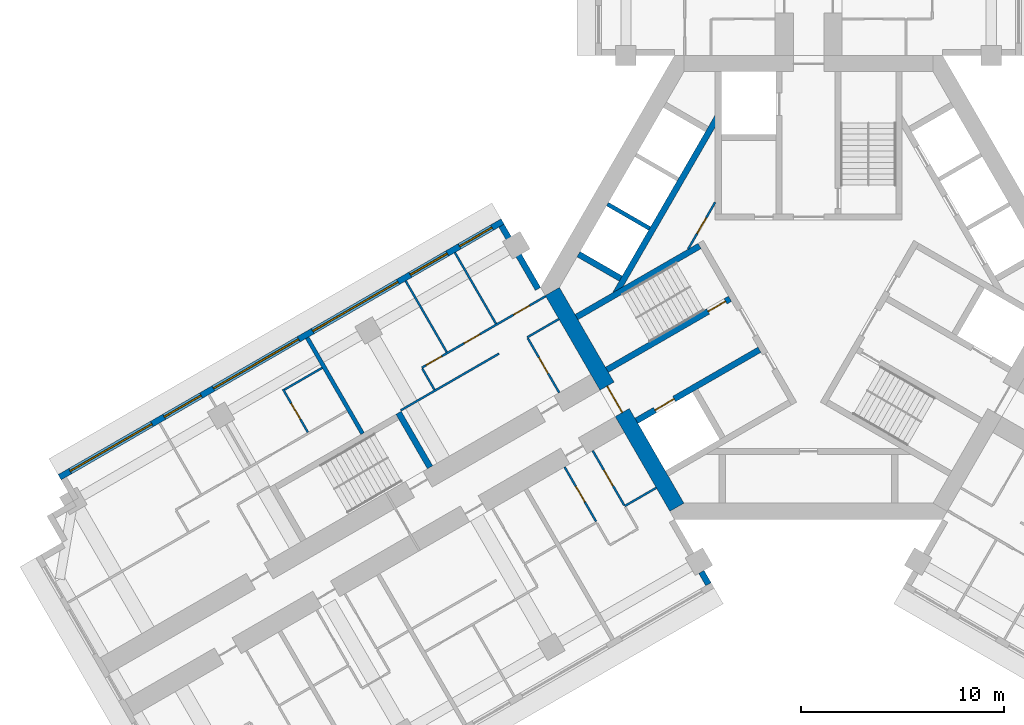
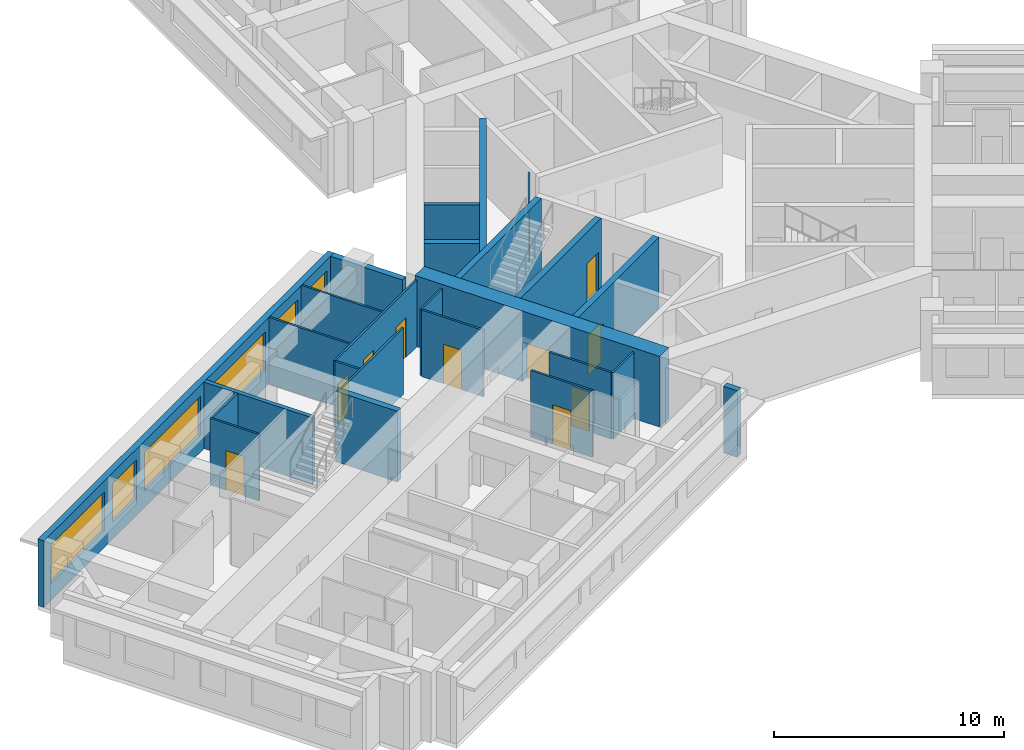
# One storey, part 4 of 12: 25 walls, 11 doors, 6 windows, 17 openings.
"""IFC4 building model written with IfcOpenShell, lengths in metres."""

from ifc_helpers import new_model, si_unit, direction, frame, frame_2d, origin, place, context, subcontext, project, spatial, rectangle, extrude, material, layer, layer_set, type_object, element, fill, save


model = new_model("IFC4")

# Units and contexts
model_context = context("Model", 3, precision=1e-05, world=origin(), true_north=direction((0.0, 1.0)))
body_context = subcontext(model_context, "Body", "Model", "MODEL_VIEW")
ifc_project = project(units=[si_unit("LENGTHUNIT", "METRE"), si_unit("AREAUNIT", "SQUARE_METRE"), si_unit("VOLUMEUNIT", "CUBIC_METRE"), si_unit("PLANEANGLEUNIT", "RADIAN"), si_unit("MASSUNIT", "GRAM", prefix="KILO")], contexts=[model_context])

# Site, building, storey
site_placement = place(None, origin())
site = spatial("IfcSite", under=ifc_project, at=site_placement, CompositionType="ELEMENT")
building_placement = place(site_placement, origin())
building = spatial("IfcBuilding", under=site, at=building_placement, Name="Impinga Residences", CompositionType="ELEMENT")
storey_placement = place(building_placement, frame((0.0, 0.0, 166.0)))
storey = spatial("IfcBuildingStorey", under=building, at=storey_placement, Name="L41", CompositionType="ELEMENT", Elevation=166.0)

# Wall, opening, door
ifc_material_1 = material(Name="Concrete blockwork", Category="masonry")
ifc_layer_1 = layer(ifc_material_1, 0.10009765625)
ifc_layer_set_1 = layer_set([ifc_layer_1], Name="CP1 core room partition, blockwork 100")
wall_type_1 = type_object("IfcWallType", Name="CP1 core room partition, blockwork 100", PredefinedType="PARTITIONING", material=ifc_layer_set_1)
wall_1_placement = place(storey_placement, frame((-5.93359375, 1.885986328125, 0.0), z_axis=(0.0, 0.0, 1.0), x_axis=(0.500018294232, 0.866014841347, 0.0)))
wall_1 = element("IfcWall", 1, at=wall_1_placement, inside=storey, type_object=wall_type_1, Name="Core room partition, blockwork L41:CORE:high:FP", PredefinedType="PARTITIONING", context=body_context, shape_type="SweptSolid", body=[
    extrude(rectangle(XDim=2.6669921875, YDim=0.10009765625, at=frame_2d((1.33349609375, 0.0))), origin(), (0.0, 0.0, 1.0), 3.530029296875),
])
opening_1_placement = place(wall_1_placement, frame((0.883544921875, 0.0, 0.0)))
opening_1 = element("IfcOpeningElement", 2, at=opening_1_placement, cuts=wall_1, Name="Opening D6", PredefinedType="OPENING", context=body_context, shape_type="SweptSolid", body=[
    extrude(rectangle(XDim=0.89990234375, YDim=2.10009765625, at=frame_2d((0.449951171875, 1.050048828125))), frame((0.0, 0.06005859375, 0.0), z_axis=(0.0, -1.0, 0.0), x_axis=(1.0, 0.0, 0.0)), (0.0, 0.0, 1.0), 0.1201171875),
])
ifc_material_2 = material(Name="Timber door set", Category="wood")
door_type_1 = type_object("IfcDoorType", Name="D6 riser and store door 900x2100", OperationType="SINGLE_SWING_LEFT", PredefinedType="DOOR", material=ifc_material_2)
door_1_placement = place(opening_1_placement, origin())
door_1 = element("IfcDoor", 3, at=door_1_placement, inside=storey, type_object=door_type_1, Name="Refuse and recycling room door", OperationType="SINGLE_SWING_LEFT", OverallHeight=2.10009765625, OverallWidth=0.89990234375, PredefinedType="DOOR", context=body_context, shape_type="SweptSolid", body=[
    extrude(rectangle(XDim=0.89990234375, YDim=2.10009765625, at=frame_2d((0.449951171875, 1.050048828125))), frame((0.0, 0.02490234375, 0.0), z_axis=(0.0, -1.0, 0.0), x_axis=(1.0, 0.0, 0.0)), (0.0, 0.0, 1.0), 0.050048828125),
])
fill(opening_1, door_1)

# Wall, openings, windows
ifc_material_3 = material(Name="Terracotta rainscreen on blockwork", Category="masonry")
ifc_layer_2 = layer(ifc_material_3, 0.300048828125)
ifc_layer_set_2 = layer_set([ifc_layer_2], Name="EW1 external wall, terracotta rainscreen on blockwork 300")
wall_type_2 = type_object("IfcWallType", Name="EW1 external wall, terracotta rainscreen on blockwork 300", PredefinedType="SOLIDWALL", material=ifc_layer_set_2)
wall_2_placement = place(storey_placement, frame((-36.89892578125, -9.352294921875, 0.0), z_axis=(0.0, 0.0, 1.0), x_axis=(0.86602925447, 0.499993330357, 0.0)))
wall_2 = element("IfcWall", 4, at=wall_2_placement, inside=storey, type_object=wall_type_2, Name="External wall EW1 L41", PredefinedType="SOLIDWALL", context=body_context, shape_type="SweptSolid", body=[
    extrude(rectangle(XDim=25.199951171875, YDim=0.300048828125, at=frame_2d((12.60009765625, 0.0))), origin(), (0.0, 0.0, 1.0), 3.530029296875),
])
opening_2_placement = place(wall_2_placement, frame((0.60009765625, 0.0, 0.89990234375)))
opening_2 = element("IfcOpeningElement", 5, at=opening_2_placement, cuts=wall_2, Name="Opening W10", PredefinedType="OPENING", context=body_context, shape_type="SweptSolid", body=[
    extrude(rectangle(XDim=4.64990234375, YDim=2.050048828125, at=frame_2d((2.324951171875, 1.02490234375))), frame((0.0, 0.159912109375, 0.0), z_axis=(0.0, -1.0, 0.0), x_axis=(1.0, 0.0, 0.0)), (0.0, 0.0, 1.0), 0.320068359375),
])
opening_3_placement = place(wall_2_placement, frame((5.949951171875, 0.0, 0.89990234375)))
opening_3 = element("IfcOpeningElement", 6, at=opening_3_placement, cuts=wall_2, Name="Opening W9", PredefinedType="OPENING", context=body_context, shape_type="SweptSolid", body=[
    extrude(rectangle(XDim=2.10009765625, YDim=2.050048828125, at=frame_2d((1.050048828125, 1.02490234375))), frame((0.0, 0.159912109375, 0.0), z_axis=(0.0, -1.0, 0.0), x_axis=(1.0, 0.0, 0.0)), (0.0, 0.0, 1.0), 0.320068359375),
])
opening_4_placement = place(wall_2_placement, frame((8.75, 0.0, 0.89990234375)))
opening_4 = element("IfcOpeningElement", 7, at=opening_4_placement, cuts=wall_2, Name="Opening W6", PredefinedType="OPENING", context=body_context, shape_type="SweptSolid", body=[
    extrude(rectangle(XDim=4.85009765625, YDim=2.050048828125, at=frame_2d((2.425048828125, 1.02490234375))), frame((0.0, 0.159912109375, 0.0), z_axis=(0.0, -1.0, 0.0), x_axis=(1.0, 0.0, 0.0)), (0.0, 0.0, 1.0), 0.320068359375),
])
opening_5_placement = place(wall_2_placement, frame((14.39990234375, 0.0, 0.89990234375)))
opening_5 = element("IfcOpeningElement", 8, at=opening_5_placement, cuts=wall_2, Name="Opening W6", PredefinedType="OPENING", context=body_context, shape_type="SweptSolid", body=[
    extrude(rectangle(XDim=4.85009765625, YDim=2.050048828125, at=frame_2d((2.425048828125, 1.02490234375))), frame((0.0, 0.159912109375, 0.0), z_axis=(0.0, -1.0, 0.0), x_axis=(1.0, 0.0, 0.0)), (0.0, 0.0, 1.0), 0.320068359375),
])
opening_6_placement = place(wall_2_placement, frame((19.949951171875, 0.0, 0.89990234375)))
opening_6 = element("IfcOpeningElement", 9, at=opening_6_placement, cuts=wall_2, Name="Opening W9", PredefinedType="OPENING", context=body_context, shape_type="SweptSolid", body=[
    extrude(rectangle(XDim=2.10009765625, YDim=2.050048828125, at=frame_2d((1.050048828125, 1.02490234375))), frame((0.0, 0.159912109375, 0.0), z_axis=(0.0, -1.0, 0.0), x_axis=(1.0, 0.0, 0.0)), (0.0, 0.0, 1.0), 0.320068359375),
])
opening_7_placement = place(wall_2_placement, frame((22.75, 0.0, 0.89990234375)))
opening_7 = element("IfcOpeningElement", 10, at=opening_7_placement, cuts=wall_2, Name="Opening W15", PredefinedType="OPENING", context=body_context, shape_type="SweptSolid", body=[
    extrude(rectangle(XDim=1.85009765625, YDim=2.050048828125, at=frame_2d((0.925048828125, 1.02490234375))), frame((0.0, 0.159912109375, 0.0), z_axis=(0.0, -1.0, 0.0), x_axis=(1.0, 0.0, 0.0)), (0.0, 0.0, 1.0), 0.320068359375),
])
ifc_material_4 = material(Name="Aluminium window, clear double glazing", Category="aluminium")
window_type_1 = type_object("IfcWindowType", Name="W10 ribbon window 4650x2050", PartitioningType="SINGLE_PANEL", PredefinedType="WINDOW", material=ifc_material_4)
window_1_placement = place(opening_2_placement, origin())
window_1 = element("IfcWindow", 11, at=window_1_placement, inside=storey, type_object=window_type_1, Name="Window L41", OverallHeight=2.050048828125, OverallWidth=4.64990234375, PartitioningType="SINGLE_PANEL", PredefinedType="WINDOW", context=body_context, shape_type="SweptSolid", body=[
    extrude(rectangle(XDim=4.64990234375, YDim=2.050048828125, at=frame_2d((2.324951171875, 1.02490234375))), frame((0.0, 0.030029296875, 0.0), z_axis=(0.0, -1.0, 0.0), x_axis=(1.0, 0.0, 0.0)), (0.0, 0.0, 1.0), 0.06005859375),
])
fill(opening_2, window_1)
window_type_2 = type_object("IfcWindowType", Name="W15 ribbon window 1850x2050", PartitioningType="SINGLE_PANEL", PredefinedType="WINDOW", material=ifc_material_4)
window_2_placement = place(opening_7_placement, origin())
window_2 = element("IfcWindow", 12, at=window_2_placement, inside=storey, type_object=window_type_2, Name="Window L41", OverallHeight=2.050048828125, OverallWidth=1.85009765625, PartitioningType="SINGLE_PANEL", PredefinedType="WINDOW", context=body_context, shape_type="SweptSolid", body=[
    extrude(rectangle(XDim=1.85009765625, YDim=2.050048828125, at=frame_2d((0.925048828125, 1.02490234375))), frame((0.0, 0.030029296875, 0.0), z_axis=(0.0, -1.0, 0.0), x_axis=(1.0, 0.0, 0.0)), (0.0, 0.0, 1.0), 0.06005859375),
])
fill(opening_7, window_2)
window_type_3 = type_object("IfcWindowType", Name="W6 ribbon window 4850x2050", PartitioningType="SINGLE_PANEL", PredefinedType="WINDOW", material=ifc_material_4)
window_3_placement = place(opening_4_placement, origin())
window_3 = element("IfcWindow", 13, at=window_3_placement, inside=storey, type_object=window_type_3, Name="Window L41", OverallHeight=2.050048828125, OverallWidth=4.85009765625, PartitioningType="SINGLE_PANEL", PredefinedType="WINDOW", context=body_context, shape_type="SweptSolid", body=[
    extrude(rectangle(XDim=4.85009765625, YDim=2.050048828125, at=frame_2d((2.425048828125, 1.02490234375))), frame((0.0, 0.030029296875, 0.0), z_axis=(0.0, -1.0, 0.0), x_axis=(1.0, 0.0, 0.0)), (0.0, 0.0, 1.0), 0.06005859375),
])
fill(opening_4, window_3)
window_4_placement = place(opening_5_placement, origin())
window_4 = element("IfcWindow", 14, at=window_4_placement, inside=storey, type_object=window_type_3, Name="Window L41", OverallHeight=2.050048828125, OverallWidth=4.85009765625, PartitioningType="SINGLE_PANEL", PredefinedType="WINDOW", context=body_context, shape_type="SweptSolid", body=[
    extrude(rectangle(XDim=4.85009765625, YDim=2.050048828125, at=frame_2d((2.425048828125, 1.02490234375))), frame((0.0, 0.030029296875, 0.0), z_axis=(0.0, -1.0, 0.0), x_axis=(1.0, 0.0, 0.0)), (0.0, 0.0, 1.0), 0.06005859375),
])
fill(opening_5, window_4)
window_type_4 = type_object("IfcWindowType", Name="W9 ribbon window 2100x2050", PartitioningType="SINGLE_PANEL", PredefinedType="WINDOW", material=ifc_material_4)
window_5_placement = place(opening_3_placement, origin())
window_5 = element("IfcWindow", 15, at=window_5_placement, inside=storey, type_object=window_type_4, Name="Window L41", OverallHeight=2.050048828125, OverallWidth=2.10009765625, PartitioningType="SINGLE_PANEL", PredefinedType="WINDOW", context=body_context, shape_type="SweptSolid", body=[
    extrude(rectangle(XDim=2.10009765625, YDim=2.050048828125, at=frame_2d((1.050048828125, 1.02490234375))), frame((0.0, 0.030029296875, 0.0), z_axis=(0.0, -1.0, 0.0), x_axis=(1.0, 0.0, 0.0)), (0.0, 0.0, 1.0), 0.06005859375),
])
fill(opening_3, window_5)
window_6_placement = place(opening_6_placement, origin())
window_6 = element("IfcWindow", 16, at=window_6_placement, inside=storey, type_object=window_type_4, Name="Window L41", OverallHeight=2.050048828125, OverallWidth=2.10009765625, PartitioningType="SINGLE_PANEL", PredefinedType="WINDOW", context=body_context, shape_type="SweptSolid", body=[
    extrude(rectangle(XDim=2.10009765625, YDim=2.050048828125, at=frame_2d((1.050048828125, 1.02490234375))), frame((0.0, 0.030029296875, 0.0), z_axis=(0.0, -1.0, 0.0), x_axis=(1.0, 0.0, 0.0)), (0.0, 0.0, 1.0), 0.06005859375),
])
fill(opening_6, window_6)

# Walls
wall_3_placement = place(storey_placement, frame((-15.1298828125, 3.042724609375, 0.0), z_axis=(0.0, 0.0, 1.0), x_axis=(0.500012057535, -0.866018442252, 0.0)))
element("IfcWall", 17, at=wall_3_placement, inside=storey, type_object=wall_type_2, Name="External wall EW1 L41", PredefinedType="SOLIDWALL", context=body_context, shape_type="SweptSolid", body=[
    extrude(rectangle(XDim=3.60009765625, YDim=0.300048828125, at=frame_2d((1.800048828125, 0.0))), origin(), (0.0, 0.0, 1.0), 3.530029296875),
])
wall_4_placement = place(storey_placement, frame((-5.27978515625, -14.01806640625, 0.0), z_axis=(0.0, 0.0, 1.0), x_axis=(0.499853302173, -0.866110083249, 0.0)))
element("IfcWall", 18, at=wall_4_placement, inside=storey, type_object=wall_type_2, Name="External wall EW1 L41", PredefinedType="SOLIDWALL", context=body_context, shape_type="SweptSolid", body=[
    extrude(rectangle(XDim=0.699951171875, YDim=0.300048828125, at=frame_2d((0.35009765625, 0.0))), origin(), (0.0, 0.0, 1.0), 3.530029296875),
])
ifc_material_5 = material(Name="Gypsum board on steel studs", Category="steel")
ifc_layer_3 = layer(ifc_material_5, 0.10009765625)
ifc_layer_set_3 = layer_set([ifc_layer_3], Name="Gypsum board on steel studs")
wall_type_3 = type_object("IfcWallType", Name="IP1 partition 100", PredefinedType="PARTITIONING", material=ifc_layer_set_3)
wall_5_placement = place(storey_placement, frame((-7.5, -9.872802734375, 0.0), z_axis=(0.0, 0.0, 1.0), x_axis=(-0.866047807691, -0.499961193289, 0.0)))
element("IfcWall", 19, at=wall_5_placement, inside=storey, type_object=wall_type_3, Name="Partition L41-WA1:DIV0", PredefinedType="PARTITIONING", context=body_context, shape_type="SweptSolid", body=[
    extrude(rectangle(XDim=1.800048828125, YDim=0.10009765625, at=frame_2d((0.89990234375, 0.0))), origin(), (0.0, 0.0, 1.0), 3.530029296875),
])

# Wall, opening, door
wall_6_placement = place(storey_placement, frame((-10.6337890625, -8.044677734375, 0.0), z_axis=(0.0, 0.0, 1.0), x_axis=(0.49999285859, -0.86602952684, 0.0)))
wall_6 = element("IfcWall", 20, at=wall_6_placement, inside=storey, type_object=wall_type_3, Name="Partition L41-WA1:IB1", PredefinedType="PARTITIONING", context=body_context, shape_type="SweptSolid", body=[
    extrude(rectangle(XDim=3.10009765625, YDim=0.10009765625, at=frame_2d((1.550048828125, 0.0))), origin(), (0.0, 0.0, 1.0), 3.530029296875),
])
opening_8_placement = place(wall_6_placement, frame((1.10009765625, 0.0, 0.0)))
opening_8 = element("IfcOpeningElement", 21, at=opening_8_placement, cuts=wall_6, Name="Opening D2", PredefinedType="OPENING", context=body_context, shape_type="SweptSolid", body=[
    extrude(rectangle(XDim=0.89990234375, YDim=2.10009765625, at=frame_2d((0.449951171875, 1.050048828125))), frame((0.0, 0.06005859375, 0.0), z_axis=(0.0, -1.0, 0.0), x_axis=(1.0, 0.0, 0.0)), (0.0, 0.0, 1.0), 0.1201171875),
])
door_type_2 = type_object("IfcDoorType", Name="D2 internal door 900x2100", OperationType="SINGLE_SWING_LEFT", PredefinedType="DOOR", material=ifc_material_2)
door_2_placement = place(opening_8_placement, origin())
door_2 = element("IfcDoor", 22, at=door_2_placement, inside=storey, type_object=door_type_2, Name="Apartment L41-WA1 bathroom door", OperationType="SINGLE_SWING_LEFT", OverallHeight=2.10009765625, OverallWidth=0.89990234375, PredefinedType="DOOR", context=body_context, shape_type="SweptSolid", body=[
    extrude(rectangle(XDim=0.89990234375, YDim=2.10009765625, at=frame_2d((0.449951171875, 1.050048828125))), frame((0.0, 0.02490234375, 0.0), z_axis=(0.0, -1.0, 0.0), x_axis=(1.0, 0.0, 0.0)), (0.0, 0.0, 1.0), 0.050048828125),
])
fill(opening_8, door_2)

wall_7_placement = place(storey_placement, frame((-12.01953125, -8.8447265625, 0.0), z_axis=(0.0, 0.0, 1.0), x_axis=(0.500026960575, -0.86600983753, 0.0)))
wall_7 = element("IfcWall", 23, at=wall_7_placement, inside=storey, type_object=wall_type_3, Name="Partition L41-WA1:IB2", PredefinedType="PARTITIONING", context=body_context, shape_type="SweptSolid", body=[
    extrude(rectangle(XDim=3.099853515625, YDim=0.10009765625, at=frame_2d((1.5498046875, 0.0))), origin(), (0.0, 0.0, 1.0), 3.530029296875),
])
opening_9_placement = place(wall_7_placement, frame((1.10009765625, 0.0, 0.0)))
opening_9 = element("IfcOpeningElement", 24, at=opening_9_placement, cuts=wall_7, Name="Opening D2", PredefinedType="OPENING", context=body_context, shape_type="SweptSolid", body=[
    extrude(rectangle(XDim=0.89990234375, YDim=2.10009765625, at=frame_2d((0.449951171875, 1.050048828125))), frame((0.0, 0.06005859375, 0.0), z_axis=(0.0, -1.0, 0.0), x_axis=(1.0, 0.0, 0.0)), (0.0, 0.0, 1.0), 0.1201171875),
])
door_3_placement = place(opening_9_placement, origin())
door_3 = element("IfcDoor", 25, at=door_3_placement, inside=storey, type_object=door_type_2, Name="Apartment L41-WA1 WC door", OperationType="SINGLE_SWING_LEFT", OverallHeight=2.10009765625, OverallWidth=0.89990234375, PredefinedType="DOOR", context=body_context, shape_type="SweptSolid", body=[
    extrude(rectangle(XDim=0.89990234375, YDim=2.10009765625, at=frame_2d((0.449951171875, 1.050048828125))), frame((0.0, 0.02490234375, 0.0), z_axis=(0.0, -1.0, 0.0), x_axis=(1.0, 0.0, 0.0)), (0.0, 0.0, 1.0), 0.050048828125),
])
fill(opening_9, door_3)

# Walls
wall_8_placement = place(storey_placement, frame((-12.300048828125, -1.558837890625, 0.0), z_axis=(0.0, 0.0, 1.0), x_axis=(-0.866047807691, -0.499961193289, 0.0)))
element("IfcWall", 26, at=wall_8_placement, inside=storey, type_object=wall_type_3, Name="Partition L41-WF1:DIV0", PredefinedType="PARTITIONING", context=body_context, shape_type="SweptSolid", body=[
    extrude(rectangle(XDim=1.800048828125, YDim=0.10009765625, at=frame_2d((0.89990234375, 0.0))), origin(), (0.0, 0.0, 1.0), 3.530029296875),
])
wall_9_placement = place(storey_placement, frame((-15.244384765625, -3.2587890625, 0.0), z_axis=(0.0, 0.0, 1.0), x_axis=(-0.866026594901, -0.49999793692, 0.0)))
element("IfcWall", 27, at=wall_9_placement, inside=storey, type_object=wall_type_3, Name="Partition L41-WF1:DIV1", PredefinedType="PARTITIONING", context=body_context, shape_type="SweptSolid", body=[
    extrude(rectangle(XDim=5.60009765625, YDim=0.10009765625, at=frame_2d((2.800048828125, 0.0))), origin(), (0.0, 0.0, 1.0), 3.530029296875),
])

# Wall, openings, doors
wall_10_placement = place(storey_placement, frame((-12.949951171875, -0.43310546875, 0.0), z_axis=(0.0, 0.0, 1.0), x_axis=(-0.866031034943, -0.499990246421, 0.0)))
wall_10 = element("IfcWall", 28, at=wall_10_placement, inside=storey, type_object=wall_type_3, Name="Partition L41-WF1:STRIP", PredefinedType="PARTITIONING", context=body_context, shape_type="SweptSolid", body=[
    extrude(rectangle(XDim=7.050048828125, YDim=0.10009765625, at=frame_2d((3.52490234375, 0.0))), origin(), (0.0, 0.0, 1.0), 3.530029296875),
])
opening_10_placement = place(wall_10_placement, frame((0.925048828125, 0.0, 0.0)))
opening_10 = element("IfcOpeningElement", 29, at=opening_10_placement, cuts=wall_10, Name="Opening D2", PredefinedType="OPENING", context=body_context, shape_type="SweptSolid", body=[
    extrude(rectangle(XDim=0.89990234375, YDim=2.10009765625, at=frame_2d((0.449951171875, 1.050048828125))), frame((0.0, 0.06005859375, 0.0), z_axis=(0.0, -1.0, 0.0), x_axis=(1.0, 0.0, 0.0)), (0.0, 0.0, 1.0), 0.1201171875),
])
opening_11_placement = place(wall_10_placement, frame((3.75, 0.0, 0.0)))
opening_11 = element("IfcOpeningElement", 30, at=opening_11_placement, cuts=wall_10, Name="Opening D2", PredefinedType="OPENING", context=body_context, shape_type="SweptSolid", body=[
    extrude(rectangle(XDim=0.89990234375, YDim=2.10009765625, at=frame_2d((0.449951171875, 1.050048828125))), frame((0.0, 0.06005859375, 0.0), z_axis=(0.0, -1.0, 0.0), x_axis=(1.0, 0.0, 0.0)), (0.0, 0.0, 1.0), 0.1201171875),
])
opening_12_placement = place(wall_10_placement, frame((5.89990234375, 0.0, 0.0)))
opening_12 = element("IfcOpeningElement", 31, at=opening_12_placement, cuts=wall_10, Name="Opening D2", PredefinedType="OPENING", context=body_context, shape_type="SweptSolid", body=[
    extrude(rectangle(XDim=0.89990234375, YDim=2.10009765625, at=frame_2d((0.449951171875, 1.050048828125))), frame((0.0, 0.06005859375, 0.0), z_axis=(0.0, -1.0, 0.0), x_axis=(1.0, 0.0, 0.0)), (0.0, 0.0, 1.0), 0.1201171875),
])
door_4_placement = place(opening_10_placement, origin())
door_4 = element("IfcDoor", 32, at=door_4_placement, inside=storey, type_object=door_type_2, Name="Apartment L41-WF1 room door", OperationType="SINGLE_SWING_LEFT", OverallHeight=2.10009765625, OverallWidth=0.89990234375, PredefinedType="DOOR", context=body_context, shape_type="SweptSolid", body=[
    extrude(rectangle(XDim=0.89990234375, YDim=2.10009765625, at=frame_2d((0.449951171875, 1.050048828125))), frame((0.0, 0.02490234375, 0.0), z_axis=(0.0, -1.0, 0.0), x_axis=(1.0, 0.0, 0.0)), (0.0, 0.0, 1.0), 0.050048828125),
])
fill(opening_10, door_4)
door_5_placement = place(opening_11_placement, origin())
door_5 = element("IfcDoor", 33, at=door_5_placement, inside=storey, type_object=door_type_2, Name="Apartment L41-WF1 room door", OperationType="SINGLE_SWING_RIGHT", OverallHeight=2.10009765625, OverallWidth=0.89990234375, PredefinedType="DOOR", context=body_context, shape_type="SweptSolid", body=[
    extrude(rectangle(XDim=0.89990234375, YDim=2.10009765625, at=frame_2d((0.449951171875, 1.050048828125))), frame((0.0, 0.02490234375, 0.0), z_axis=(0.0, -1.0, 0.0), x_axis=(1.0, 0.0, 0.0)), (0.0, 0.0, 1.0), 0.050048828125),
])
fill(opening_11, door_5)
door_6_placement = place(opening_12_placement, origin())
door_6 = element("IfcDoor", 34, at=door_6_placement, inside=storey, type_object=door_type_2, Name="Apartment L41-WF1 room door", OperationType="SINGLE_SWING_RIGHT", OverallHeight=2.10009765625, OverallWidth=0.89990234375, PredefinedType="DOOR", context=body_context, shape_type="SweptSolid", body=[
    extrude(rectangle(XDim=0.89990234375, YDim=2.10009765625, at=frame_2d((0.449951171875, 1.050048828125))), frame((0.0, 0.02490234375, 0.0), z_axis=(0.0, -1.0, 0.0), x_axis=(1.0, 0.0, 0.0)), (0.0, 0.0, 1.0), 0.050048828125),
])
fill(opening_12, door_6)

# Wall
wall_11_placement = place(storey_placement, frame((-18.430419921875, -5.04052734375, 0.0), z_axis=(0.0, 0.0, 1.0), x_axis=(-0.500033551112, 0.866006032174, 0.0)))
element("IfcWall", 35, at=wall_11_placement, inside=storey, type_object=wall_type_3, Name="Partition L41-WF1:SE1", PredefinedType="PARTITIONING", context=body_context, shape_type="SweptSolid", body=[
    extrude(rectangle(XDim=1.2001953125, YDim=0.10009765625, at=frame_2d((0.60009765625, 0.0))), origin(), (0.0, 0.0, 1.0), 3.530029296875),
])

# Wall, opening, door
wall_12_placement = place(storey_placement, frame((-12.283935546875, -5.186767578125, 0.0), z_axis=(0.0, 0.0, 1.0), x_axis=(-0.499967891604, 0.866043940782, 0.0)))
wall_12 = element("IfcWall", 36, at=wall_12_placement, inside=storey, type_object=wall_type_3, Name="Partition L41-WF1:IB1", PredefinedType="PARTITIONING", context=body_context, shape_type="SweptSolid", body=[
    extrude(rectangle(XDim=3.099853515625, YDim=0.10009765625, at=frame_2d((1.5498046875, 0.0))), origin(), (0.0, 0.0, 1.0), 3.530029296875),
])
opening_13_placement = place(wall_12_placement, frame((1.10009765625, 0.0, 0.0)))
opening_13 = element("IfcOpeningElement", 37, at=opening_13_placement, cuts=wall_12, Name="Opening D2", PredefinedType="OPENING", context=body_context, shape_type="SweptSolid", body=[
    extrude(rectangle(XDim=0.89990234375, YDim=2.10009765625, at=frame_2d((0.449951171875, 1.050048828125))), frame((0.0, 0.06005859375, 0.0), z_axis=(0.0, -1.0, 0.0), x_axis=(1.0, 0.0, 0.0)), (0.0, 0.0, 1.0), 0.1201171875),
])
door_7_placement = place(opening_13_placement, origin())
door_7 = element("IfcDoor", 38, at=door_7_placement, inside=storey, type_object=door_type_2, Name="Apartment L41-WF1 bathroom door", OperationType="SINGLE_SWING_LEFT", OverallHeight=2.10009765625, OverallWidth=0.89990234375, PredefinedType="DOOR", context=body_context, shape_type="SweptSolid", body=[
    extrude(rectangle(XDim=0.89990234375, YDim=2.10009765625, at=frame_2d((0.449951171875, 1.050048828125))), frame((0.0, 0.02490234375, 0.0), z_axis=(0.0, -1.0, 0.0), x_axis=(1.0, 0.0, 0.0)), (0.0, 0.0, 1.0), 0.050048828125),
])
fill(opening_13, door_7)

# Walls
for number, where, z_axis, x_axis, name in (
    (39, (-15.39990234375, -1.789794921875, 0.0), (0.0, 0.0, 1.0), (-0.499964223975, 0.866046058097, 0.0), "Partition L41-WF1:OB1"),
    (40, (-17.82470703125, -3.189697265625, 0.0), (0.0, 0.0, 1.0), (-0.500035537042, 0.866004885491, 0.0), "Partition L41-WF1:OB2"),
):
    element("IfcWall", number, at=place(storey_placement, frame(where, z_axis=z_axis, x_axis=x_axis)), inside=storey, type_object=wall_type_3, Name=name, PredefinedType="PARTITIONING", context=body_context, shape_type="SweptSolid", body=[
        extrude(rectangle(XDim=4.050048828125, YDim=0.10009765625, at=frame_2d((2.02490234375, 0.0))), origin(), (0.0, 0.0, 1.0), 3.530029296875),
    ])

# Wall, opening, door
wall_13_placement = place(storey_placement, frame((-24.666259765625, -7.1396484375, 0.0), z_axis=(0.0, 0.0, 1.0), x_axis=(-0.500061746146, 0.865989751695, 0.0)))
wall_13 = element("IfcWall", 41, at=wall_13_placement, inside=storey, type_object=wall_type_3, Name="Partition L41-WF2:EN1", PredefinedType="PARTITIONING", context=body_context, shape_type="SweptSolid", body=[
    extrude(rectangle(XDim=2.449951171875, YDim=0.10009765625, at=frame_2d((1.22509765625, 0.0))), origin(), (0.0, 0.0, 1.0), 3.530029296875),
])
opening_14_placement = place(wall_13_placement, frame((0.75, 0.0, 0.0)))
opening_14 = element("IfcOpeningElement", 42, at=opening_14_placement, cuts=wall_13, Name="Opening D2", PredefinedType="OPENING", context=body_context, shape_type="SweptSolid", body=[
    extrude(rectangle(XDim=0.89990234375, YDim=2.10009765625, at=frame_2d((0.449951171875, 1.050048828125))), frame((0.0, 0.06005859375, 0.0), z_axis=(0.0, -1.0, 0.0), x_axis=(1.0, 0.0, 0.0)), (0.0, 0.0, 1.0), 0.1201171875),
])
door_8_placement = place(opening_14_placement, origin())
door_8 = element("IfcDoor", 43, at=door_8_placement, inside=storey, type_object=door_type_2, Name="Apartment L41-WF2 en-suite door", OperationType="SINGLE_SWING_LEFT", OverallHeight=2.10009765625, OverallWidth=0.89990234375, PredefinedType="DOOR", context=body_context, shape_type="SweptSolid", body=[
    extrude(rectangle(XDim=0.89990234375, YDim=2.10009765625, at=frame_2d((0.449951171875, 1.050048828125))), frame((0.0, 0.02490234375, 0.0), z_axis=(0.0, -1.0, 0.0), x_axis=(1.0, 0.0, 0.0)), (0.0, 0.0, 1.0), 0.050048828125),
])
fill(opening_14, door_8)

# Walls
wall_14_placement = place(storey_placement, frame((-23.961181640625, -3.961181640625, 0.0), z_axis=(0.0, 0.0, 1.0), x_axis=(-0.866019166195, -0.500010803666, 0.0)))
element("IfcWall", 44, at=wall_14_placement, inside=storey, type_object=wall_type_3, Name="Partition L41-WF2:EN2", PredefinedType="PARTITIONING", context=body_context, shape_type="SweptSolid", body=[
    extrude(rectangle(XDim=2.14990234375, YDim=0.10009765625, at=frame_2d((1.074951171875, 0.0))), origin(), (0.0, 0.0, 1.0), 3.530029296875),
])
ifc_layer_4 = layer(ifc_material_1, 0.199951171875)
ifc_layer_set_4 = layer_set([ifc_layer_4], Name="PW1 party wall between apartments 200")
wall_type_4 = type_object("IfcWallType", Name="PW1 party wall between apartments 200", PredefinedType="SOLIDWALL", material=ifc_layer_set_4)
wall_15_placement = place(storey_placement, frame((-21.974365234375, -7.2021484375, 0.0), z_axis=(0.0, 0.0, 1.0), x_axis=(-0.500022328685, 0.866012511928, 0.0)))
element("IfcWall", 45, at=wall_15_placement, inside=storey, type_object=wall_type_4, Name="Party wall between apartments L41-WF1:PARTY", PredefinedType="SOLIDWALL", context=body_context, shape_type="SweptSolid", body=[
    extrude(rectangle(XDim=5.449951171875, YDim=0.199951171875, at=frame_2d((2.72509765625, 0.0))), origin(), (0.0, 0.0, 1.0), 3.530029296875),
])
ifc_material_6 = material(Name="Concrete C60/75", Category="concrete")
ifc_layer_5 = layer(ifc_material_6, 0.300048828125)
ifc_layer_set_5 = layer_set([ifc_layer_5], Name="Concrete C60/75")
wall_type_5 = type_object("IfcWallType", Name="SE1 wing stair enclosure wall 300", PredefinedType="SOLIDWALL", material=ifc_layer_set_5)
wall_16_placement = place(storey_placement, frame((-18.649169921875, -8.86181640625, 0.0), z_axis=(0.0, 0.0, 1.0), x_axis=(-0.500026960575, 0.86600983753, 0.0)))
element("IfcWall", 46, at=wall_16_placement, inside=storey, type_object=wall_type_5, Name="Stair enclosure wall SE1 W END0 L41", PredefinedType="SOLIDWALL", context=body_context, shape_type="SweptSolid", body=[
    extrude(rectangle(XDim=3.099853515625, YDim=0.300048828125, at=frame_2d((1.5498046875, 0.0))), origin(), (0.0, 0.0, 1.0), 3.75),
])

# Wall, opening, door
ifc_layer_6 = layer(ifc_material_6, 0.800048828125)
ifc_layer_set_6 = layer_set([ifc_layer_6], Name="Concrete C60/75")
wall_type_6 = type_object("IfcWallType", Name="SW2 core wall 800", PredefinedType="SHEAR", material=ifc_layer_set_6)
wall_17_placement = place(storey_placement, frame((-6.484619140625, -10.83154296875, 0.0), z_axis=(0.0, 0.0, 1.0), x_axis=(-0.499986991068, 0.866032914365, 0.0)))
wall_17 = element("IfcWall", 47, at=wall_17_placement, inside=storey, type_object=wall_type_6, Name="Core wall SW2 W:FACE L41", PredefinedType="SHEAR", context=body_context, shape_type="SweptSolid", body=[
    extrude(rectangle(XDim=12.276123046875, YDim=0.800048828125, at=frame_2d((6.13818359375, 0.0))), origin(), (0.0, 0.0, 1.0), 3.75),
])
opening_15_placement = place(wall_17_placement, frame((5.38818359375, 0.0, 0.0)))
opening_15 = element("IfcOpeningElement", 48, at=opening_15_placement, cuts=wall_17, Name="Opening D4", PredefinedType="OPENING", context=body_context, shape_type="SweptSolid", body=[
    extrude(rectangle(XDim=1.5, YDim=2.10009765625, at=frame_2d((0.75, 1.050048828125))), frame((0.0, 0.409912109375, 0.0), z_axis=(0.0, -1.0, 0.0), x_axis=(1.0, 0.0, 0.0)), (0.0, 0.0, 1.0), 0.820068359375),
])
door_type_3 = type_object("IfcDoorType", Name="D4 lobby door pair 1500x2100", OperationType="DOUBLE_DOOR_DOUBLE_SWING", PredefinedType="DOOR", material=ifc_material_2)
door_9_placement = place(opening_15_placement, origin())
door_9 = element("IfcDoor", 49, at=door_9_placement, inside=storey, type_object=door_type_3, Name="Lobby door W", OperationType="DOUBLE_DOOR_DOUBLE_SWING", OverallHeight=2.10009765625, OverallWidth=1.5, PredefinedType="DOOR", context=body_context, shape_type="SweptSolid", body=[
    extrude(rectangle(XDim=1.5, YDim=2.10009765625, at=frame_2d((0.75, 1.050048828125))), frame((0.0, 0.02490234375, 0.0), z_axis=(0.0, -1.0, 0.0), x_axis=(1.0, 0.0, 0.0)), (0.0, 0.0, 1.0), 0.050048828125),
])
fill(opening_15, door_9)

ifc_material_7 = material(Name="Concrete C70/85", Category="concrete")
ifc_layer_7 = layer(ifc_material_7, 0.300048828125)
ifc_layer_set_7 = layer_set([ifc_layer_7], Name="Concrete C70/85")
wall_type_7 = type_object("IfcWallType", Name="SW5 core inner wall, stairs, shafts and lobbies 300", PredefinedType="SHEAR", material=ifc_layer_set_7)
wall_18_placement = place(storey_placement, frame((-3.86865234375, -0.559326171875, 0.0), z_axis=(0.0, 0.0, 1.0), x_axis=(-0.866026480128, -0.499998135713, 0.0)))
wall_18 = element("IfcWall", 50, at=wall_18_placement, inside=storey, type_object=wall_type_7, Name="Core wall SW5 W:ST-IN L41", PredefinedType="SHEAR", context=body_context, shape_type="SweptSolid", body=[
    extrude(rectangle(XDim=7.00146484375, YDim=0.300048828125, at=frame_2d((3.500732421875, 0.0))), origin(), (0.0, 0.0, 1.0), 3.75),
])
opening_16_placement = place(wall_18_placement, frame((0.25, 0.0, 0.0)))
opening_16 = element("IfcOpeningElement", 51, at=opening_16_placement, cuts=wall_18, Name="Opening D5", PredefinedType="OPENING", context=body_context, shape_type="SweptSolid", body=[
    extrude(rectangle(XDim=1.0, YDim=2.10009765625, at=frame_2d((0.5, 1.050048828125))), frame((0.0, 0.159912109375, 0.0), z_axis=(0.0, -1.0, 0.0), x_axis=(1.0, 0.0, 0.0)), (0.0, 0.0, 1.0), 0.320068359375),
])
door_type_4 = type_object("IfcDoorType", Name="D5 stair door 1000x2100", OperationType="SINGLE_SWING_LEFT", PredefinedType="DOOR", material=ifc_material_2)
door_10_placement = place(opening_16_placement, origin())
door_10 = element("IfcDoor", 52, at=door_10_placement, inside=storey, type_object=door_type_4, Name="Stair door W", OperationType="SINGLE_SWING_LEFT", OverallHeight=2.10009765625, OverallWidth=1.0, PredefinedType="DOOR", context=body_context, shape_type="SweptSolid", body=[
    extrude(rectangle(XDim=1.0, YDim=2.10009765625, at=frame_2d((0.5, 1.050048828125))), frame((0.0, 0.02490234375, 0.0), z_axis=(0.0, -1.0, 0.0), x_axis=(1.0, 0.0, 0.0)), (0.0, 0.0, 1.0), 0.050048828125),
])
fill(opening_16, door_10)

# Wall
wall_19_placement = place(storey_placement, frame((-5.36865234375, 2.038818359375, 0.0), z_axis=(0.0, 0.0, 1.0), x_axis=(-0.866026480128, -0.499998135713, 0.0)))
element("IfcWall", 53, at=wall_19_placement, inside=storey, type_object=wall_type_7, Name="Core wall SW5 W:ST-OUT L41", PredefinedType="SHEAR", context=body_context, shape_type="SweptSolid", body=[
    extrude(rectangle(XDim=7.00146484375, YDim=0.300048828125, at=frame_2d((3.500732421875, 0.0))), origin(), (0.0, 0.0, 1.0), 3.75),
])

# Wall, opening, door
wall_20_placement = place(storey_placement, frame((-2.418701171875, -3.07080078125, 0.0), z_axis=(0.0, 0.0, 1.0), x_axis=(-0.866026480128, -0.499998135713, 0.0)))
wall_20 = element("IfcWall", 54, at=wall_20_placement, inside=storey, type_object=wall_type_7, Name="Core wall SW5 W:FF-IN L41", PredefinedType="SHEAR", context=body_context, shape_type="SweptSolid", body=[
    extrude(rectangle(XDim=7.00146484375, YDim=0.300048828125, at=frame_2d((3.500732421875, 0.0))), origin(), (0.0, 0.0, 1.0), 3.75),
])
opening_17_placement = place(wall_20_placement, frame((4.85009765625, 0.0, 0.0)))
opening_17 = element("IfcOpeningElement", 55, at=opening_17_placement, cuts=wall_20, Name="Opening LD2", PredefinedType="OPENING", context=body_context, shape_type="SweptSolid", body=[
    extrude(rectangle(XDim=1.10009765625, YDim=2.10009765625, at=frame_2d((0.550048828125, 1.050048828125))), frame((0.0, 0.159912109375, 0.0), z_axis=(0.0, -1.0, 0.0), x_axis=(1.0, 0.0, 0.0)), (0.0, 0.0, 1.0), 0.320068359375),
])
ifc_material_8 = material(Name="Steel lift landing door", Category="steel")
door_type_5 = type_object("IfcDoorType", Name="LD2 firefighting lift landing door 1100x2100", OperationType="DOUBLE_DOOR_SLIDING", PredefinedType="DOOR", material=ifc_material_8)
door_11_placement = place(opening_17_placement, origin())
door_11 = element("IfcDoor", 56, at=door_11_placement, inside=storey, type_object=door_type_5, Name="Firefighting lift landing door F2", OperationType="DOUBLE_DOOR_SLIDING", OverallHeight=2.10009765625, OverallWidth=1.10009765625, PredefinedType="DOOR", context=body_context, shape_type="SweptSolid", body=[
    extrude(rectangle(XDim=1.10009765625, YDim=2.10009765625, at=frame_2d((0.550048828125, 1.050048828125))), frame((0.0, 0.02490234375, 0.0), z_axis=(0.0, -1.0, 0.0), x_axis=(1.0, 0.0, 0.0)), (0.0, 0.0, 1.0), 0.050048828125),
])
fill(opening_17, door_11)

# Walls
wall_21_placement = place(storey_placement, frame((-9.547607421875, -0.3740234375, 0.0), z_axis=(0.0, 0.0, 1.0), x_axis=(0.500002290144, 0.866024081565, 0.0)))
element("IfcWall", 57, at=wall_21_placement, inside=storey, type_object=wall_type_7, Name="Core wall SW5 E:BANK-FRONT L41", PredefinedType="SHEAR", context=body_context, shape_type="SweptSolid", body=[
    extrude(rectangle(XDim=10.1953125, YDim=0.300048828125, at=frame_2d((5.09765625, 0.0))), origin(), (0.0, 0.0, 1.0), 3.75),
])
wall_22_placement = place(storey_placement, frame((-9.253662109375, 0.43505859375, 0.0), z_axis=(0.0, 0.0, 1.0), x_axis=(-0.866006032174, 0.500033551112, 0.0)))
element("IfcWall", 58, at=wall_22_placement, inside=storey, type_object=wall_type_7, Name="Core wall SW5 E:BANK-L L41", PredefinedType="SHEAR", context=body_context, shape_type="SweptSolid", body=[
    extrude(rectangle(XDim=2.400146484375, YDim=0.300048828125, at=frame_2d((1.2001953125, 0.0))), origin(), (0.0, 0.0, 1.0), 3.75),
])
ifc_layer_8 = layer(ifc_material_7, 0.199951171875)
ifc_layer_set_8 = layer_set([ifc_layer_8], Name="Concrete C70/85")
wall_type_8 = type_object("IfcWallType", Name="SW6 lift shaft divider wall 200", PredefinedType="SHEAR", material=ifc_layer_set_8)
wall_23_placement = place(storey_placement, frame((-7.82861328125, 2.9033203125, 0.0), z_axis=(0.0, 0.0, 1.0), x_axis=(-0.866050077142, 0.499957262057, 0.0)))
element("IfcWall", 59, at=wall_23_placement, inside=storey, type_object=wall_type_8, Name="Core wall SW6 E:BANK-D1 L41", PredefinedType="SHEAR", context=body_context, shape_type="SweptSolid", body=[
    extrude(rectangle(XDim=2.400146484375, YDim=0.199951171875, at=frame_2d((1.2001953125, 0.0))), origin(), (0.0, 0.0, 1.0), 3.75),
])

save(model, "model.ifc")
